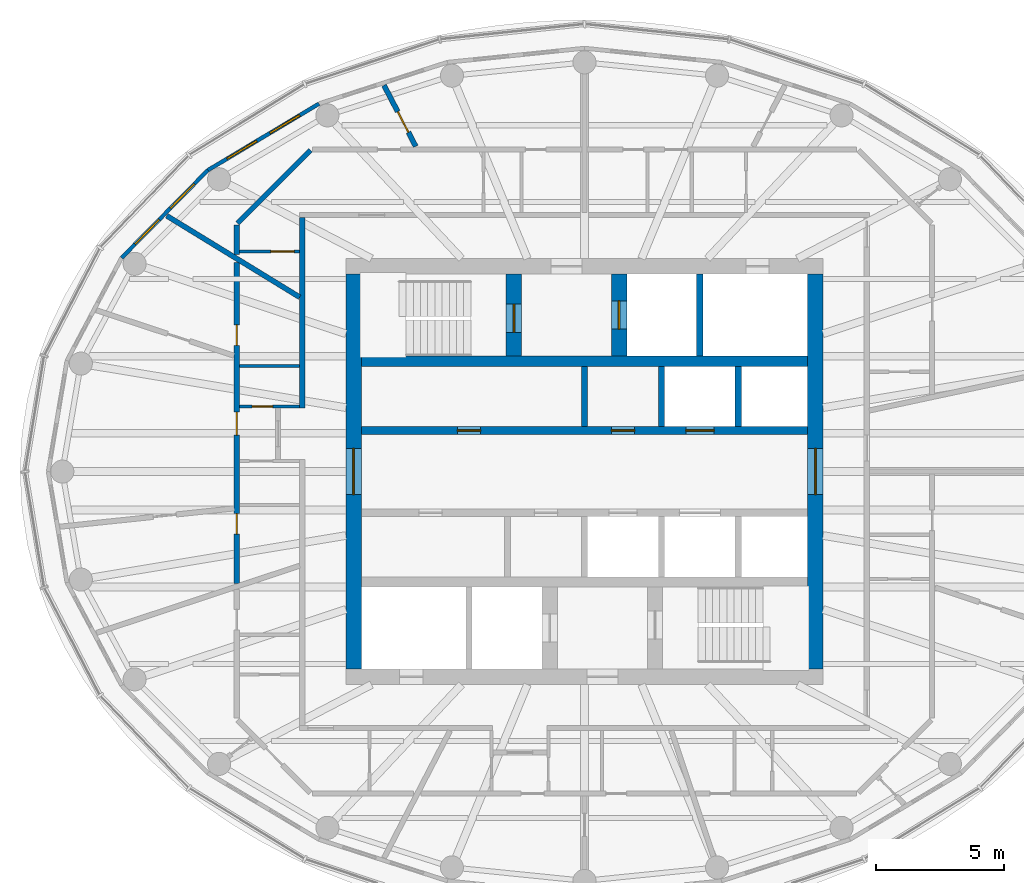
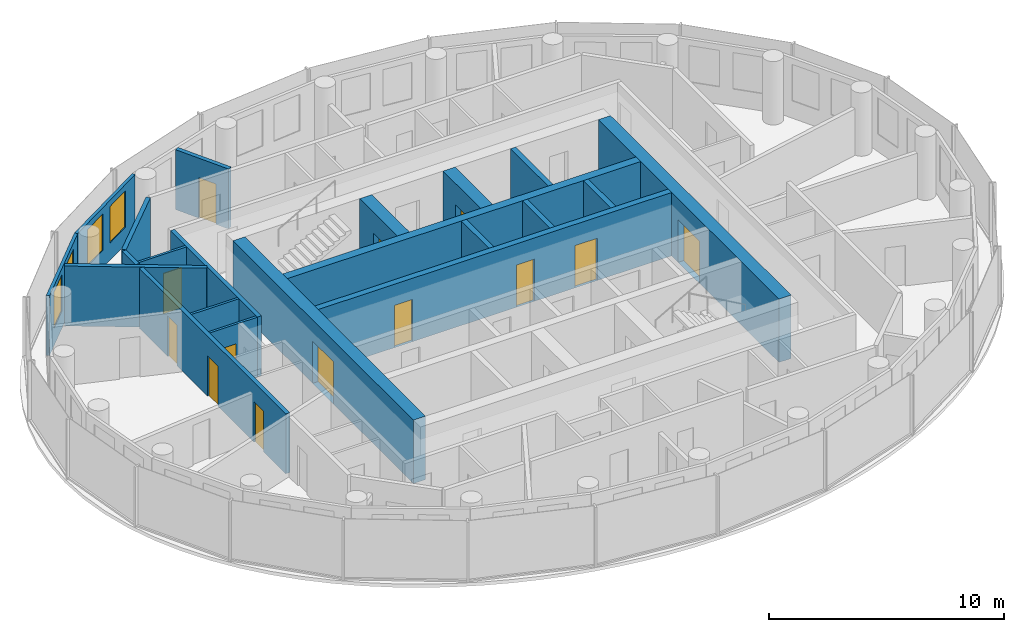
# One storey, part 7 of 11: 21 walls, 13 doors, 4 windows, 17 openings.
"""IFC4 building model written with IfcOpenShell, lengths in metres."""

from ifc_helpers import new_model, si_unit, direction, frame, frame_2d, origin, place, context, subcontext, project, spatial, rectangle, extrude, material, layer, layer_set, type_object, element, fill, save


model = new_model("IFC4")

# Units and contexts
model_context = context("Model", 3, precision=1e-05, world=origin(), true_north=direction((0.0, 1.0)))
body_context = subcontext(model_context, "Body", "Model", "MODEL_VIEW")
ifc_project = project(units=[si_unit("LENGTHUNIT", "METRE"), si_unit("AREAUNIT", "SQUARE_METRE"), si_unit("VOLUMEUNIT", "CUBIC_METRE"), si_unit("PLANEANGLEUNIT", "RADIAN"), si_unit("MASSUNIT", "GRAM", prefix="KILO")], contexts=[model_context])

# Site, building, storey
site_placement = place(None, origin())
site = spatial("IfcSite", under=ifc_project, at=site_placement, CompositionType="ELEMENT")
building_placement = place(site_placement, origin())
building = spatial("IfcBuilding", under=site, at=building_placement, Name="Hankou Lantern Tower", CompositionType="ELEMENT")
storey_placement = place(building_placement, frame((0.0, 0.0, 199.5)))
storey = spatial("IfcBuildingStorey", under=building, at=storey_placement, Name="L53", CompositionType="ELEMENT", Elevation=199.5)

# Wall, opening, door
ifc_material_1 = material(Name="Concrete C60", Category="concrete")
ifc_layer_1 = layer(ifc_material_1, 0.60009765625)
ifc_layer_set_1 = layer_set([ifc_layer_1], Name="Concrete C60")
wall_type_1 = type_object("IfcWallType", Name="CW3 CORE WALL 600", PredefinedType="SHEAR", material=ifc_layer_set_1)
wall_1_placement = place(storey_placement, frame((9.0, -7.699951171875, 0.0), z_axis=(0.0, 0.0, 1.0), x_axis=(0.0, 1.0, 0.0)))
wall_1 = element("IfcWall", 1, at=wall_1_placement, inside=storey, type_object=wall_type_1, Name="Core wall east L53", PredefinedType="SHEAR", context=body_context, shape_type="SweptSolid", body=[
    extrude(rectangle(XDim=15.39990234375, YDim=0.60009765625, at=frame_2d((7.699951171875, 0.0))), origin(), (0.0, 0.0, 1.0), 3.300048828125),
])
opening_1_placement = place(wall_1_placement, frame((6.800048828125, 0.0, 0.0)))
opening_1 = element("IfcOpeningElement", 2, at=opening_1_placement, cuts=wall_1, Name="Opening D6", PredefinedType="OPENING", context=body_context, shape_type="SweptSolid", body=[
    extrude(rectangle(XDim=1.800048828125, YDim=2.199951171875, at=frame_2d((0.89990234375, 1.10009765625))), frame((0.0, 0.31005859375, 0.0), z_axis=(0.0, -1.0, 0.0), x_axis=(1.0, 0.0, 0.0)), (0.0, 0.0, 1.0), 0.6201171875),
])
ifc_material_2 = material(Name="Steel door leaf", Category="steel")
door_type_1 = type_object("IfcDoorType", Name="D6 LIFT LOBBY DOOR 1800X2200", OperationType="DOUBLE_DOOR_DOUBLE_SWING", PredefinedType="DOOR", material=ifc_material_2)
door_1_placement = place(opening_1_placement, origin())
door_1 = element("IfcDoor", 3, at=door_1_placement, inside=storey, type_object=door_type_1, Name="Lift lobby east door", OperationType="DOUBLE_DOOR_DOUBLE_SWING", OverallHeight=2.199951171875, OverallWidth=1.800048828125, PredefinedType="DOOR", context=body_context, shape_type="SweptSolid", body=[
    extrude(rectangle(XDim=1.800048828125, YDim=2.199951171875, at=frame_2d((0.89990234375, 1.10009765625))), frame((0.0, 0.02490234375, 0.0), z_axis=(0.0, -1.0, 0.0), x_axis=(1.0, 0.0, 0.0)), (0.0, 0.0, 1.0), 0.050048828125),
])
fill(opening_1, door_1)

wall_2_placement = place(storey_placement, frame((-9.0, 7.699951171875, 0.0), z_axis=(0.0, 0.0, 1.0), x_axis=(0.0, -1.0, 0.0)))
wall_2 = element("IfcWall", 4, at=wall_2_placement, inside=storey, type_object=wall_type_1, Name="Core wall west L53", PredefinedType="SHEAR", context=body_context, shape_type="SweptSolid", body=[
    extrude(rectangle(XDim=15.39990234375, YDim=0.60009765625, at=frame_2d((7.699951171875, 0.0))), origin(), (0.0, 0.0, 1.0), 3.300048828125),
])
opening_2_placement = place(wall_2_placement, frame((6.800048828125, 0.0, 0.0)))
opening_2 = element("IfcOpeningElement", 5, at=opening_2_placement, cuts=wall_2, Name="Opening D6", PredefinedType="OPENING", context=body_context, shape_type="SweptSolid", body=[
    extrude(rectangle(XDim=1.800048828125, YDim=2.199951171875, at=frame_2d((0.89990234375, 1.10009765625))), frame((0.0, 0.31005859375, 0.0), z_axis=(0.0, -1.0, 0.0), x_axis=(1.0, 0.0, 0.0)), (0.0, 0.0, 1.0), 0.6201171875),
])
door_2_placement = place(opening_2_placement, origin())
door_2 = element("IfcDoor", 6, at=door_2_placement, inside=storey, type_object=door_type_1, Name="Lift lobby west door", OperationType="DOUBLE_DOOR_DOUBLE_SWING", OverallHeight=2.199951171875, OverallWidth=1.800048828125, PredefinedType="DOOR", context=body_context, shape_type="SweptSolid", body=[
    extrude(rectangle(XDim=1.800048828125, YDim=2.199951171875, at=frame_2d((0.89990234375, 1.10009765625))), frame((0.0, 0.02490234375, 0.0), z_axis=(0.0, -1.0, 0.0), x_axis=(1.0, 0.0, 0.0)), (0.0, 0.0, 1.0), 0.050048828125),
])
fill(opening_2, door_2)

# Wall
ifc_material_3 = material(Name="Concrete C60", Category="concrete")
ifc_layer_2 = layer(ifc_material_3, 0.39990234375)
ifc_layer_set_2 = layer_set([ifc_layer_2], Name="Concrete C60")
wall_type_2 = type_object("IfcWallType", Name="CW4 CORE CROSS WALL 400", PredefinedType="SHEAR", material=ifc_layer_set_2)
wall_3_placement = place(storey_placement, frame((-8.699951171875, 4.300048828125, 0.0), z_axis=(0.0, 0.0, 1.0), x_axis=(1.0, 0.0, 0.0)))
element("IfcWall", 7, at=wall_3_placement, inside=storey, type_object=wall_type_2, Name="Core band wall north L53", PredefinedType="SHEAR", context=body_context, shape_type="SweptSolid", body=[
    extrude(rectangle(XDim=17.39990234375, YDim=0.39990234375, at=frame_2d((8.699951171875, 0.0))), origin(), (0.0, 0.0, 1.0), 3.300048828125),
])

# Wall, openings, doors
ifc_material_4 = material(Name="Concrete C60", Category="concrete")
ifc_layer_3 = layer(ifc_material_4, 0.300048828125)
ifc_layer_set_3 = layer_set([ifc_layer_3], Name="Concrete C60")
wall_type_3 = type_object("IfcWallType", Name="CW5 LIFT LOBBY WALL 300", PredefinedType="SHEAR", material=ifc_layer_set_3)
wall_4_placement = place(storey_placement, frame((-8.699951171875, 1.60009765625, 0.0), z_axis=(0.0, 0.0, 1.0), x_axis=(1.0, 0.0, 0.0)))
wall_4 = element("IfcWall", 8, at=wall_4_placement, inside=storey, type_object=wall_type_3, Name="Lift lobby wall north L53", PredefinedType="SHEAR", context=body_context, shape_type="SweptSolid", body=[
    extrude(rectangle(XDim=17.39990234375, YDim=0.300048828125, at=frame_2d((8.699951171875, 0.0))), origin(), (0.0, 0.0, 1.0), 3.300048828125),
])
opening_3_placement = place(wall_4_placement, frame((12.64990234375, 0.0, 0.0)))
opening_3 = element("IfcOpeningElement", 9, at=opening_3_placement, cuts=wall_4, Name="Opening LD1", PredefinedType="OPENING", context=body_context, shape_type="SweptSolid", body=[
    extrude(rectangle(XDim=1.10009765625, YDim=2.199951171875, at=frame_2d((0.550048828125, 1.10009765625))), frame((0.0, 0.159912109375, 0.0), z_axis=(0.0, -1.0, 0.0), x_axis=(1.0, 0.0, 0.0)), (0.0, 0.0, 1.0), 0.320068359375),
])
opening_4_placement = place(wall_4_placement, frame((3.75, 0.0, 0.0)))
opening_4 = element("IfcOpeningElement", 10, at=opening_4_placement, cuts=wall_4, Name="Opening D30", PredefinedType="OPENING", context=body_context, shape_type="SweptSolid", body=[
    extrude(rectangle(XDim=0.89990234375, YDim=2.199951171875, at=frame_2d((0.449951171875, 1.10009765625))), frame((0.0, 0.159912109375, 0.0), z_axis=(0.0, -1.0, 0.0), x_axis=(1.0, 0.0, 0.0)), (0.0, 0.0, 1.0), 0.320068359375),
])
opening_5_placement = place(wall_4_placement, frame((9.75, 0.0, 0.0)))
opening_5 = element("IfcOpeningElement", 11, at=opening_5_placement, cuts=wall_4, Name="Opening D30", PredefinedType="OPENING", context=body_context, shape_type="SweptSolid", body=[
    extrude(rectangle(XDim=0.89990234375, YDim=2.199951171875, at=frame_2d((0.449951171875, 1.10009765625))), frame((0.0, 0.159912109375, 0.0), z_axis=(0.0, -1.0, 0.0), x_axis=(1.0, 0.0, 0.0)), (0.0, 0.0, 1.0), 0.320068359375),
])
ifc_material_5 = material(Name="Steel door leaf", Category="steel")
door_type_2 = type_object("IfcDoorType", Name="D30 CORE ROOM DOOR 900X2200", OperationType="SINGLE_SWING_LEFT", PredefinedType="DOOR", material=ifc_material_5)
door_3_placement = place(opening_4_placement, origin())
door_3 = element("IfcDoor", 12, at=door_3_placement, inside=storey, type_object=door_type_2, Name="Cleaner's store door", OperationType="SINGLE_SWING_LEFT", OverallHeight=2.199951171875, OverallWidth=0.89990234375, PredefinedType="DOOR", context=body_context, shape_type="SweptSolid", body=[
    extrude(rectangle(XDim=0.89990234375, YDim=2.199951171875, at=frame_2d((0.449951171875, 1.10009765625))), frame((0.0, 0.02490234375, 0.0), z_axis=(0.0, -1.0, 0.0), x_axis=(1.0, 0.0, 0.0)), (0.0, 0.0, 1.0), 0.050048828125),
])
fill(opening_4, door_3)
door_4_placement = place(opening_5_placement, origin())
door_4 = element("IfcDoor", 13, at=door_4_placement, inside=storey, type_object=door_type_2, Name="Minibar store door", OperationType="SINGLE_SWING_RIGHT", OverallHeight=2.199951171875, OverallWidth=0.89990234375, PredefinedType="DOOR", context=body_context, shape_type="SweptSolid", body=[
    extrude(rectangle(XDim=0.89990234375, YDim=2.199951171875, at=frame_2d((0.449951171875, 1.10009765625))), frame((0.0, 0.02490234375, 0.0), z_axis=(0.0, -1.0, 0.0), x_axis=(1.0, 0.0, 0.0)), (0.0, 0.0, 1.0), 0.050048828125),
])
fill(opening_5, door_4)
ifc_material_6 = material(Name="Steel door leaf", Category="steel")
door_type_3 = type_object("IfcDoorType", Name="LD1 LIFT LANDING DOOR 1100X2200", OperationType="DOUBLE_DOOR_SLIDING", PredefinedType="DOOR", material=ifc_material_6)
door_5_placement = place(opening_3_placement, origin())
door_5 = element("IfcDoor", 14, at=door_5_placement, inside=storey, type_object=door_type_3, Name="Lift T1 landing door", OperationType="DOUBLE_DOOR_SLIDING", OverallHeight=2.199951171875, OverallWidth=1.10009765625, PredefinedType="DOOR", context=body_context, shape_type="SweptSolid", body=[
    extrude(rectangle(XDim=1.10009765625, YDim=2.199951171875, at=frame_2d((0.550048828125, 1.10009765625))), frame((0.0, 0.02490234375, 0.0), z_axis=(0.0, -1.0, 0.0), x_axis=(1.0, 0.0, 0.0)), (0.0, 0.0, 1.0), 0.050048828125),
])
fill(opening_3, door_5)

# Wall, opening, door
ifc_material_7 = material(Name="Concrete C60", Category="concrete")
ifc_layer_4 = layer(ifc_material_7, 0.60009765625)
ifc_layer_set_4 = layer_set([ifc_layer_4], Name="Concrete C60")
wall_type_4 = type_object("IfcWallType", Name="CW6 STAIR AND SHAFT WALL 600", PredefinedType="SHEAR", material=ifc_layer_set_4)
wall_5_placement = place(storey_placement, frame((-2.75, 4.5, 0.0), z_axis=(0.0, 0.0, 1.0), x_axis=(0.0, 1.0, 0.0)))
wall_5 = element("IfcWall", 15, at=wall_5_placement, inside=storey, type_object=wall_type_4, Name="Stair wall L53", PredefinedType="SHEAR", context=body_context, shape_type="SweptSolid", body=[
    extrude(rectangle(XDim=3.199951171875, YDim=0.60009765625, at=frame_2d((1.60009765625, 0.0))), origin(), (0.0, 0.0, 1.0), 3.300048828125),
])
opening_6_placement = place(wall_5_placement, frame((0.925048828125, 0.0, 0.0)))
opening_6 = element("IfcOpeningElement", 16, at=opening_6_placement, cuts=wall_5, Name="Opening D4", PredefinedType="OPENING", context=body_context, shape_type="SweptSolid", body=[
    extrude(rectangle(XDim=1.10009765625, YDim=2.199951171875, at=frame_2d((0.550048828125, 1.10009765625))), frame((0.0, 0.31005859375, 0.0), z_axis=(0.0, -1.0, 0.0), x_axis=(1.0, 0.0, 0.0)), (0.0, 0.0, 1.0), 0.6201171875),
])
ifc_material_8 = material(Name="Steel door leaf", Category="steel")
door_type_4 = type_object("IfcDoorType", Name="D4 STAIR DOOR 1100X2200", OperationType="SINGLE_SWING_LEFT", PredefinedType="DOOR", material=ifc_material_8)
door_6_placement = place(opening_6_placement, origin())
door_6 = element("IfcDoor", 17, at=door_6_placement, inside=storey, type_object=door_type_4, Name="Stair A door", OperationType="SINGLE_SWING_LEFT", OverallHeight=2.199951171875, OverallWidth=1.10009765625, PredefinedType="DOOR", context=body_context, shape_type="SweptSolid", body=[
    extrude(rectangle(XDim=1.10009765625, YDim=2.199951171875, at=frame_2d((0.550048828125, 1.10009765625))), frame((0.0, 0.02490234375, 0.0), z_axis=(0.0, -1.0, 0.0), x_axis=(1.0, 0.0, 0.0)), (0.0, 0.0, 1.0), 0.050048828125),
])
fill(opening_6, door_6)

wall_6_placement = place(storey_placement, frame((1.35009765625, 4.5, 0.0), z_axis=(0.0, 0.0, 1.0), x_axis=(0.0, 1.0, 0.0)))
wall_6 = element("IfcWall", 18, at=wall_6_placement, inside=storey, type_object=wall_type_4, Name="Firefighting lift shaft wall L53", PredefinedType="SHEAR", context=body_context, shape_type="SweptSolid", body=[
    extrude(rectangle(XDim=3.199951171875, YDim=0.60009765625, at=frame_2d((1.60009765625, 0.0))), origin(), (0.0, 0.0, 1.0), 3.300048828125),
])
opening_7_placement = place(wall_6_placement, frame((1.050048828125, 0.0, 0.0)))
opening_7 = element("IfcOpeningElement", 19, at=opening_7_placement, cuts=wall_6, Name="Opening LD2", PredefinedType="OPENING", context=body_context, shape_type="SweptSolid", body=[
    extrude(rectangle(XDim=1.10009765625, YDim=2.199951171875, at=frame_2d((0.550048828125, 1.10009765625))), frame((0.0, 0.31005859375, 0.0), z_axis=(0.0, -1.0, 0.0), x_axis=(1.0, 0.0, 0.0)), (0.0, 0.0, 1.0), 0.6201171875),
])
ifc_material_9 = material(Name="Steel door leaf", Category="steel")
door_type_5 = type_object("IfcDoorType", Name="LD2 FIREFIGHTING LIFT LANDING DOOR 1100X2200", OperationType="DOUBLE_DOOR_SLIDING", PredefinedType="DOOR", material=ifc_material_9)
door_7_placement = place(opening_7_placement, origin())
door_7 = element("IfcDoor", 20, at=door_7_placement, inside=storey, type_object=door_type_5, Name="Firefighting lift FL1 landing door", OperationType="DOUBLE_DOOR_SLIDING", OverallHeight=2.199951171875, OverallWidth=1.10009765625, PredefinedType="DOOR", context=body_context, shape_type="SweptSolid", body=[
    extrude(rectangle(XDim=1.10009765625, YDim=2.199951171875, at=frame_2d((0.550048828125, 1.10009765625))), frame((0.0, 0.02490234375, 0.0), z_axis=(0.0, -1.0, 0.0), x_axis=(1.0, 0.0, 0.0)), (0.0, 0.0, 1.0), 0.050048828125),
])
fill(opening_7, door_7)

# Wall, openings, windows
ifc_material_10 = material(Name="Aluminium spandrel panel on steel studs", Category="steel")
ifc_layer_5 = layer(ifc_material_10, 0.14990234375)
ifc_layer_set_5 = layer_set([ifc_layer_5], Name="Aluminium spandrel panel on steel studs")
wall_type_5 = type_object("IfcWallType", Name="EW1 INNER SKIN WALL 150", PredefinedType="ELEMENTEDWALL", material=ifc_layer_set_5)
wall_7_placement = place(storey_placement, frame((-10.346435546875, 14.33642578125, 0.0), z_axis=(0.0, 0.0, 1.0), x_axis=(-0.85822150553, -0.513279502265, 0.0)))
wall_7 = element("IfcWall", 21, at=wall_7_placement, inside=storey, type_object=wall_type_5, Name="Inner skin R09-R10 L53", PredefinedType="ELEMENTEDWALL", context=body_context, shape_type="SweptSolid", body=[
    extrude(rectangle(XDim=5.050048828125, YDim=0.14990234375, at=frame_2d((2.52490234375, 0.0))), origin(), (0.0, 0.0, 1.0), 3.1201171875),
])
opening_8_placement = place(wall_7_placement, frame((0.875, 0.0, 0.89990234375)))
opening_8 = element("IfcOpeningElement", 22, at=opening_8_placement, cuts=wall_7, Name="Opening W4", PredefinedType="OPENING", context=body_context, shape_type="SweptSolid", body=[
    extrude(rectangle(XDim=1.35009765625, YDim=1.89990234375, at=frame_2d((0.675048828125, 0.949951171875))), frame((0.0, 0.0849609375, 0.0), z_axis=(0.0, -1.0, 0.0), x_axis=(1.0, 0.0, 0.0)), (0.0, 0.0, 1.0), 0.169921875),
])
opening_9_placement = place(wall_7_placement, frame((2.824951171875, 0.0, 0.89990234375)))
opening_9 = element("IfcOpeningElement", 23, at=opening_9_placement, cuts=wall_7, Name="Opening W4", PredefinedType="OPENING", context=body_context, shape_type="SweptSolid", body=[
    extrude(rectangle(XDim=1.35009765625, YDim=1.89990234375, at=frame_2d((0.675048828125, 0.949951171875))), frame((0.0, 0.0849609375, 0.0), z_axis=(0.0, -1.0, 0.0), x_axis=(1.0, 0.0, 0.0)), (0.0, 0.0, 1.0), 0.169921875),
])
ifc_material_11 = material(Name="Aluminium framed double glazed window", Category="aluminium")
window_type = type_object("IfcWindowType", Name="W4 SUITE WINDOW 1350X1900", PartitioningType="DOUBLE_PANEL_VERTICAL", PredefinedType="WINDOW", material=ifc_material_11)
window_1_placement = place(opening_8_placement, origin())
window_1 = element("IfcWindow", 24, at=window_1_placement, inside=storey, type_object=window_type, Name="Window R09.1 L53", OverallHeight=1.89990234375, OverallWidth=1.35009765625, PartitioningType="SINGLE_PANEL", PredefinedType="WINDOW", context=body_context, shape_type="SweptSolid", body=[
    extrude(rectangle(XDim=1.35009765625, YDim=1.89990234375, at=frame_2d((0.675048828125, 0.949951171875))), frame((0.0, 0.030029296875, 0.0), z_axis=(0.0, -1.0, 0.0), x_axis=(1.0, 0.0, 0.0)), (0.0, 0.0, 1.0), 0.06005859375),
])
fill(opening_8, window_1)
window_2_placement = place(opening_9_placement, origin())
window_2 = element("IfcWindow", 25, at=window_2_placement, inside=storey, type_object=window_type, Name="Window R09.2 L53", OverallHeight=1.89990234375, OverallWidth=1.35009765625, PartitioningType="SINGLE_PANEL", PredefinedType="WINDOW", context=body_context, shape_type="SweptSolid", body=[
    extrude(rectangle(XDim=1.35009765625, YDim=1.89990234375, at=frame_2d((0.675048828125, 0.949951171875))), frame((0.0, 0.030029296875, 0.0), z_axis=(0.0, -1.0, 0.0), x_axis=(1.0, 0.0, 0.0)), (0.0, 0.0, 1.0), 0.06005859375),
])
fill(opening_9, window_2)

wall_8_placement = place(storey_placement, frame((-14.680419921875, 11.744384765625, 0.0), z_axis=(0.0, 0.0, 1.0), x_axis=(-0.701527379618, -0.712642501993, 0.0)))
wall_8 = element("IfcWall", 26, at=wall_8_placement, inside=storey, type_object=wall_type_5, Name="Inner skin R10-R11 L53", PredefinedType="ELEMENTEDWALL", context=body_context, shape_type="SweptSolid", body=[
    extrude(rectangle(XDim=4.788330078125, YDim=0.14990234375, at=frame_2d((2.39404296875, 0.0))), origin(), (0.0, 0.0, 1.0), 3.1201171875),
])
opening_10_placement = place(wall_8_placement, frame((0.744140625, 0.0, 0.89990234375)))
opening_10 = element("IfcOpeningElement", 27, at=opening_10_placement, cuts=wall_8, Name="Opening W4", PredefinedType="OPENING", context=body_context, shape_type="SweptSolid", body=[
    extrude(rectangle(XDim=1.35009765625, YDim=1.89990234375, at=frame_2d((0.675048828125, 0.949951171875))), frame((0.0, 0.0849609375, 0.0), z_axis=(0.0, -1.0, 0.0), x_axis=(1.0, 0.0, 0.0)), (0.0, 0.0, 1.0), 0.169921875),
])
opening_11_placement = place(wall_8_placement, frame((2.694091796875, 0.0, 0.89990234375)))
opening_11 = element("IfcOpeningElement", 28, at=opening_11_placement, cuts=wall_8, Name="Opening W4", PredefinedType="OPENING", context=body_context, shape_type="SweptSolid", body=[
    extrude(rectangle(XDim=1.35009765625, YDim=1.89990234375, at=frame_2d((0.675048828125, 0.949951171875))), frame((0.0, 0.0849609375, 0.0), z_axis=(0.0, -1.0, 0.0), x_axis=(1.0, 0.0, 0.0)), (0.0, 0.0, 1.0), 0.169921875),
])
window_3_placement = place(opening_10_placement, origin())
window_3 = element("IfcWindow", 29, at=window_3_placement, inside=storey, type_object=window_type, Name="Window R10.1 L53", OverallHeight=1.89990234375, OverallWidth=1.35009765625, PartitioningType="SINGLE_PANEL", PredefinedType="WINDOW", context=body_context, shape_type="SweptSolid", body=[
    extrude(rectangle(XDim=1.35009765625, YDim=1.89990234375, at=frame_2d((0.675048828125, 0.949951171875))), frame((0.0, 0.030029296875, 0.0), z_axis=(0.0, -1.0, 0.0), x_axis=(1.0, 0.0, 0.0)), (0.0, 0.0, 1.0), 0.06005859375),
])
fill(opening_10, window_3)
window_4_placement = place(opening_11_placement, origin())
window_4 = element("IfcWindow", 30, at=window_4_placement, inside=storey, type_object=window_type, Name="Window R10.2 L53", OverallHeight=1.89990234375, OverallWidth=1.35009765625, PartitioningType="SINGLE_PANEL", PredefinedType="WINDOW", context=body_context, shape_type="SweptSolid", body=[
    extrude(rectangle(XDim=1.35009765625, YDim=1.89990234375, at=frame_2d((0.675048828125, 0.949951171875))), frame((0.0, 0.030029296875, 0.0), z_axis=(0.0, -1.0, 0.0), x_axis=(1.0, 0.0, 0.0)), (0.0, 0.0, 1.0), 0.06005859375),
])
fill(opening_11, window_4)

# Walls
ifc_material_12 = material(Name="Masonry lightweight concrete block", Category="masonry")
ifc_layer_6 = layer(ifc_material_12, 0.199951171875)
ifc_layer_set_6 = layer_set([ifc_layer_6], Name="Masonry lightweight concrete block")
wall_type_6 = type_object("IfcWallType", Name="IW1 GUEST ROOM PARTY WALL 200", PredefinedType="PARTITIONING", material=ifc_layer_set_6)
wall_9_placement = place(storey_placement, frame((-11.10009765625, 6.79736328125, 0.0), z_axis=(0.0, 0.0, 1.0), x_axis=(-0.852799818179, 0.522237943963, 0.0)))
element("IfcWall", 31, at=wall_9_placement, inside=storey, type_object=wall_type_6, Name="Party wall R10-R11", PredefinedType="PARTITIONING", context=body_context, shape_type="SweptSolid", body=[
    extrude(rectangle(XDim=6.076904296875, YDim=0.199951171875, at=frame_2d((3.03857421875, 0.0))), origin(), (0.0, 0.0, 1.0), 3.1201171875),
])
ifc_material_13 = material(Name="Masonry lightweight concrete block", Category="masonry")
ifc_layer_7 = layer(ifc_material_13, 0.199951171875)
ifc_layer_set_7 = layer_set([ifc_layer_7], Name="Masonry lightweight concrete block")
wall_type_7 = type_object("IfcWallType", Name="IW2 CORRIDOR WALL 200", PredefinedType="PARTITIONING", material=ifc_layer_set_7)
wall_10_placement = place(storey_placement, frame((-11.0, 9.89990234375, 0.0), z_axis=(0.0, 0.0, 1.0), x_axis=(0.0, -1.0, 0.0)))
element("IfcWall", 32, at=wall_10_placement, inside=storey, type_object=wall_type_7, Name="Corridor wall west", PredefinedType="PARTITIONING", context=body_context, shape_type="SweptSolid", body=[
    extrude(rectangle(XDim=7.41552734375, YDim=0.199951171875, at=frame_2d((3.707763671875, 0.0))), origin(), (0.0, 0.0, 1.0), 3.1201171875),
])

# Wall, opening, door
ifc_material_14 = material(Name="Masonry lightweight concrete block", Category="masonry")
ifc_layer_8 = layer(ifc_material_14, 0.1201171875)
ifc_layer_set_8 = layer_set([ifc_layer_8], Name="Masonry lightweight concrete block")
wall_type_8 = type_object("IfcWallType", Name="IW3 BATHROOM WALL 120", PredefinedType="PARTITIONING", material=ifc_layer_set_8)
wall_11_placement = place(storey_placement, frame((-11.10009765625, 8.57568359375, 0.0), z_axis=(0.0, 0.0, 1.0), x_axis=(-1.0, 0.0, 0.0)))
wall_11 = element("IfcWall", 33, at=wall_11_placement, inside=storey, type_object=wall_type_8, Name="Box wall 5303 3", PredefinedType="PARTITIONING", context=body_context, shape_type="SweptSolid", body=[
    extrude(rectangle(XDim=2.349853515625, YDim=0.1201171875, at=frame_2d((1.1748046875, 0.0))), origin(), (0.0, 0.0, 1.0), 3.1201171875),
])
opening_12_placement = place(wall_11_placement, frame((0.219970703125, 0.0, 0.0)))
opening_12 = element("IfcOpeningElement", 34, at=opening_12_placement, cuts=wall_11, Name="Opening D27", PredefinedType="OPENING", context=body_context, shape_type="SweptSolid", body=[
    extrude(rectangle(XDim=0.89990234375, YDim=2.10009765625, at=frame_2d((0.449951171875, 1.050048828125))), frame((0.0, 0.070068359375, 0.0), z_axis=(0.0, -1.0, 0.0), x_axis=(1.0, 0.0, 0.0)), (0.0, 0.0, 1.0), 0.14013671875),
])
ifc_material_15 = material(Name="Timber door leaf", Category="wood")
door_type_6 = type_object("IfcDoorType", Name="D27 INTERNAL DOOR 900X2100", OperationType="SINGLE_SWING_LEFT", PredefinedType="DOOR", material=ifc_material_15)
door_8_placement = place(opening_12_placement, origin())
door_8 = element("IfcDoor", 35, at=door_8_placement, inside=storey, type_object=door_type_6, Name="Suite 5303 walk-in wardrobe door", OperationType="SINGLE_SWING_LEFT", OverallHeight=2.10009765625, OverallWidth=0.89990234375, PredefinedType="DOOR", context=body_context, shape_type="SweptSolid", body=[
    extrude(rectangle(XDim=0.89990234375, YDim=2.10009765625, at=frame_2d((0.449951171875, 1.050048828125))), frame((0.0, 0.02490234375, 0.0), z_axis=(0.0, -1.0, 0.0), x_axis=(1.0, 0.0, 0.0)), (0.0, 0.0, 1.0), 0.050048828125),
])
fill(opening_12, door_8)

# Wall
wall_12_placement = place(storey_placement, frame((-11.10009765625, 4.115234375, 0.0), z_axis=(0.0, 0.0, 1.0), x_axis=(-1.0, 0.0, 0.0)))
element("IfcWall", 36, at=wall_12_placement, inside=storey, type_object=wall_type_8, Name="Box wall 5304 1", PredefinedType="PARTITIONING", context=body_context, shape_type="SweptSolid", body=[
    extrude(rectangle(XDim=2.349853515625, YDim=0.1201171875, at=frame_2d((1.1748046875, 0.0))), origin(), (0.0, 0.0, 1.0), 3.1201171875),
])

# Wall, opening, door
wall_13_placement = place(storey_placement, frame((-11.10009765625, 2.534423828125, 0.0), z_axis=(0.0, 0.0, 1.0), x_axis=(-1.0, 0.0, 0.0)))
wall_13 = element("IfcWall", 37, at=wall_13_placement, inside=storey, type_object=wall_type_8, Name="Box wall 5304 2", PredefinedType="PARTITIONING", context=body_context, shape_type="SweptSolid", body=[
    extrude(rectangle(XDim=2.349853515625, YDim=0.1201171875, at=frame_2d((1.1748046875, 0.0))), origin(), (0.0, 0.0, 1.0), 3.1201171875),
])
opening_13_placement = place(wall_13_placement, frame((1.050048828125, 0.0, 0.0)))
opening_13 = element("IfcOpeningElement", 38, at=opening_13_placement, cuts=wall_13, Name="Opening D3", PredefinedType="OPENING", context=body_context, shape_type="SweptSolid", body=[
    extrude(rectangle(XDim=0.800048828125, YDim=2.10009765625, at=frame_2d((0.39990234375, 1.050048828125))), frame((0.0, 0.070068359375, 0.0), z_axis=(0.0, -1.0, 0.0), x_axis=(1.0, 0.0, 0.0)), (0.0, 0.0, 1.0), 0.14013671875),
])
ifc_material_16 = material(Name="Timber door leaf", Category="wood")
door_type_7 = type_object("IfcDoorType", Name="D3 BATHROOM DOOR 800X2100", OperationType="SINGLE_SWING_LEFT", PredefinedType="DOOR", material=ifc_material_16)
door_9_placement = place(opening_13_placement, origin())
door_9 = element("IfcDoor", 39, at=door_9_placement, inside=storey, type_object=door_type_7, Name="Family suite 5304 guest WC door", OperationType="SINGLE_SWING_LEFT", OverallHeight=2.10009765625, OverallWidth=0.800048828125, PredefinedType="DOOR", context=body_context, shape_type="SweptSolid", body=[
    extrude(rectangle(XDim=0.800048828125, YDim=2.10009765625, at=frame_2d((0.39990234375, 1.050048828125))), frame((0.0, 0.02490234375, 0.0), z_axis=(0.0, -1.0, 0.0), x_axis=(1.0, 0.0, 0.0)), (0.0, 0.0, 1.0), 0.050048828125),
])
fill(opening_13, door_9)

# Walls
ifc_material_17 = material(Name="Masonry lightweight concrete block", Category="masonry")
ifc_layer_9 = layer(ifc_material_17, 0.199951171875)
ifc_layer_set_9 = layer_set([ifc_layer_9], Name="Masonry lightweight concrete block")
wall_type_9 = type_object("IfcWallType", Name="IW6 SUITE PARTITION 200", PredefinedType="PARTITIONING", material=ifc_layer_set_9)
wall_14_placement = place(storey_placement, frame((-10.67919921875, 12.520751953125, 0.0), z_axis=(0.0, 0.0, 1.0), x_axis=(-0.707106781187, -0.707106781187, 0.0)))
element("IfcWall", 40, at=wall_14_placement, inside=storey, type_object=wall_type_9, Name="Suite foyer wall 5303", PredefinedType="PARTITIONING", context=body_context, shape_type="SweptSolid", body=[
    extrude(rectangle(XDim=4.0185546875, YDim=0.199951171875, at=frame_2d((2.00927734375, 0.0))), origin(), (0.0, 0.0, 1.0), 3.1201171875),
])
wall_15_placement = place(storey_placement, frame((-13.550048828125, 9.608642578125, 0.0), z_axis=(0.0, 0.0, 1.0), x_axis=(0.0, -1.0, 0.0)))
element("IfcWall", 41, at=wall_15_placement, inside=storey, type_object=wall_type_9, Name="Suite foyer wall 5303", PredefinedType="PARTITIONING", context=body_context, shape_type="SweptSolid", body=[
    extrude(rectangle(XDim=1.152587890625, YDim=0.199951171875, at=frame_2d((0.576171875, 0.0))), origin(), (0.0, 0.0, 1.0), 3.1201171875),
])

# Wall, opening, door
wall_16_placement = place(storey_placement, frame((-6.578125, 12.676513671875, 0.0), z_axis=(0.0, 0.0, 1.0), x_axis=(-0.460620531465, 0.887597164255, 0.0)))
wall_16 = element("IfcWall", 42, at=wall_16_placement, inside=storey, type_object=wall_type_9, Name="Suite partition R08-R09", PredefinedType="PARTITIONING", context=body_context, shape_type="SweptSolid", body=[
    extrude(rectangle(XDim=2.677734375, YDim=0.199951171875, at=frame_2d((1.3388671875, 0.0))), origin(), (0.0, 0.0, 1.0), 3.1201171875),
])
opening_14_placement = place(wall_16_placement, frame((0.6201171875, 0.0, 0.0)))
opening_14 = element("IfcOpeningElement", 43, at=opening_14_placement, cuts=wall_16, Name="Opening D27", PredefinedType="OPENING", context=body_context, shape_type="SweptSolid", body=[
    extrude(rectangle(XDim=0.89990234375, YDim=2.10009765625, at=frame_2d((0.449951171875, 1.050048828125))), frame((0.0, 0.10986328125, 0.0), z_axis=(0.0, -1.0, 0.0), x_axis=(1.0, 0.0, 0.0)), (0.0, 0.0, 1.0), 0.219970703125),
])
door_10_placement = place(opening_14_placement, origin())
door_10 = element("IfcDoor", 44, at=door_10_placement, inside=storey, type_object=door_type_6, Name="Suite 5303 bedroom door", OperationType="SINGLE_SWING_LEFT", OverallHeight=2.10009765625, OverallWidth=0.89990234375, PredefinedType="DOOR", context=body_context, shape_type="SweptSolid", body=[
    extrude(rectangle(XDim=0.89990234375, YDim=2.10009765625, at=frame_2d((0.449951171875, 1.050048828125))), frame((0.0, 0.02490234375, 0.0), z_axis=(0.0, -1.0, 0.0), x_axis=(1.0, 0.0, 0.0)), (0.0, 0.0, 1.0), 0.050048828125),
])
fill(opening_14, door_10)

# Wall, openings, doors
wall_17_placement = place(storey_placement, frame((-13.550048828125, 8.13916015625, 0.0), z_axis=(0.0, 0.0, 1.0), x_axis=(0.0, -1.0, 0.0)))
wall_17 = element("IfcWall", 45, at=wall_17_placement, inside=storey, type_object=wall_type_9, Name="Suite foyer wall 5304", PredefinedType="PARTITIONING", context=body_context, shape_type="SweptSolid", body=[
    extrude(rectangle(XDim=12.496337890625, YDim=0.199951171875, at=frame_2d((6.248046875, 0.0))), origin(), (0.0, 0.0, 1.0), 3.1201171875),
])
opening_15_placement = place(wall_17_placement, frame((2.419921875, 0.0, 0.0)))
opening_15 = element("IfcOpeningElement", 46, at=opening_15_placement, cuts=wall_17, Name="Opening D3", PredefinedType="OPENING", context=body_context, shape_type="SweptSolid", body=[
    extrude(rectangle(XDim=0.800048828125, YDim=2.10009765625, at=frame_2d((0.39990234375, 1.050048828125))), frame((0.0, 0.10986328125, 0.0), z_axis=(0.0, -1.0, 0.0), x_axis=(1.0, 0.0, 0.0)), (0.0, 0.0, 1.0), 0.219970703125),
])
opening_16_placement = place(wall_17_placement, frame((9.775634765625, 0.0, 0.0)))
opening_16 = element("IfcOpeningElement", 47, at=opening_16_placement, cuts=wall_17, Name="Opening D3", PredefinedType="OPENING", context=body_context, shape_type="SweptSolid", body=[
    extrude(rectangle(XDim=0.800048828125, YDim=2.10009765625, at=frame_2d((0.39990234375, 1.050048828125))), frame((0.0, 0.10986328125, 0.0), z_axis=(0.0, -1.0, 0.0), x_axis=(1.0, 0.0, 0.0)), (0.0, 0.0, 1.0), 0.219970703125),
])
opening_17_placement = place(wall_17_placement, frame((5.820068359375, 0.0, 0.0)))
opening_17 = element("IfcOpeningElement", 48, at=opening_17_placement, cuts=wall_17, Name="Opening D27", PredefinedType="OPENING", context=body_context, shape_type="SweptSolid", body=[
    extrude(rectangle(XDim=0.89990234375, YDim=2.10009765625, at=frame_2d((0.449951171875, 1.050048828125))), frame((0.0, 0.10986328125, 0.0), z_axis=(0.0, -1.0, 0.0), x_axis=(1.0, 0.0, 0.0)), (0.0, 0.0, 1.0), 0.219970703125),
])
door_11_placement = place(opening_17_placement, origin())
door_11 = element("IfcDoor", 49, at=door_11_placement, inside=storey, type_object=door_type_6, Name="Family suite 5304 living room door", OperationType="SINGLE_SWING_LEFT", OverallHeight=2.10009765625, OverallWidth=0.89990234375, PredefinedType="DOOR", context=body_context, shape_type="SweptSolid", body=[
    extrude(rectangle(XDim=0.89990234375, YDim=2.10009765625, at=frame_2d((0.449951171875, 1.050048828125))), frame((0.0, 0.02490234375, 0.0), z_axis=(0.0, -1.0, 0.0), x_axis=(1.0, 0.0, 0.0)), (0.0, 0.0, 1.0), 0.050048828125),
])
fill(opening_17, door_11)
door_12_placement = place(opening_15_placement, origin())
door_12 = element("IfcDoor", 50, at=door_12_placement, inside=storey, type_object=door_type_7, Name="Family suite 5304 bathroom door", OperationType="SINGLE_SWING_RIGHT", OverallHeight=2.10009765625, OverallWidth=0.800048828125, PredefinedType="DOOR", context=body_context, shape_type="SweptSolid", body=[
    extrude(rectangle(XDim=0.800048828125, YDim=2.10009765625, at=frame_2d((0.39990234375, 1.050048828125))), frame((0.0, 0.02490234375, 0.0), z_axis=(0.0, -1.0, 0.0), x_axis=(1.0, 0.0, 0.0)), (0.0, 0.0, 1.0), 0.050048828125),
])
fill(opening_15, door_12)
door_13_placement = place(opening_16_placement, origin())
door_13 = element("IfcDoor", 51, at=door_13_placement, inside=storey, type_object=door_type_7, Name="Family suite 5304 second bathroom door", OperationType="SINGLE_SWING_LEFT", OverallHeight=2.10009765625, OverallWidth=0.800048828125, PredefinedType="DOOR", context=body_context, shape_type="SweptSolid", body=[
    extrude(rectangle(XDim=0.800048828125, YDim=2.10009765625, at=frame_2d((0.39990234375, 1.050048828125))), frame((0.0, 0.02490234375, 0.0), z_axis=(0.0, -1.0, 0.0), x_axis=(1.0, 0.0, 0.0)), (0.0, 0.0, 1.0), 0.050048828125),
])
fill(opening_16, door_13)

# Walls
ifc_material_18 = material(Name="Masonry autoclaved aerated concrete block", Category="masonry")
ifc_layer_10 = layer(ifc_material_18, 0.25)
ifc_layer_set_10 = layer_set([ifc_layer_10], Name="Masonry autoclaved aerated concrete block")
wall_type_10 = type_object("IfcWallType", Name="SW1 SHAFT BLOCK WALL 250", PredefinedType="PARTITIONING", material=ifc_layer_set_10)
wall_18_placement = place(storey_placement, frame((4.5, 4.5, 0.0), z_axis=(0.0, 0.0, 1.0), x_axis=(0.0, 1.0, 0.0)))
element("IfcWall", 52, at=wall_18_placement, inside=storey, type_object=wall_type_10, Name="Riser wall L53", PredefinedType="PARTITIONING", context=body_context, shape_type="SweptSolid", body=[
    extrude(rectangle(XDim=3.199951171875, YDim=0.25, at=frame_2d((1.60009765625, 0.0))), origin(), (0.0, 0.0, 1.0), 3.300048828125),
])
for number, where, z_axis, x_axis, name in (
    (53, (0.0, 1.75, 0.0), (0.0, 0.0, 1.0), (0.0, 1.0, 0.0), "Lift shaft wall L53"),
    (54, (3.0, 1.75, 0.0), (0.0, 0.0, 1.0), (0.0, 1.0, 0.0), "Lift shaft wall L53"),
    (55, (6.0, 1.75, 0.0), (0.0, 0.0, 1.0), (0.0, 1.0, 0.0), "Lift shaft wall L53"),
):
    element("IfcWall", number, at=place(storey_placement, frame(where, z_axis=z_axis, x_axis=x_axis)), inside=storey, type_object=wall_type_10, Name=name, PredefinedType="PARTITIONING", context=body_context, shape_type="SweptSolid", body=[
        extrude(rectangle(XDim=2.35009765625, YDim=0.25, at=frame_2d((1.175048828125, 0.0))), origin(), (0.0, 0.0, 1.0), 3.300048828125),
    ])

save(model, "model.ifc")
